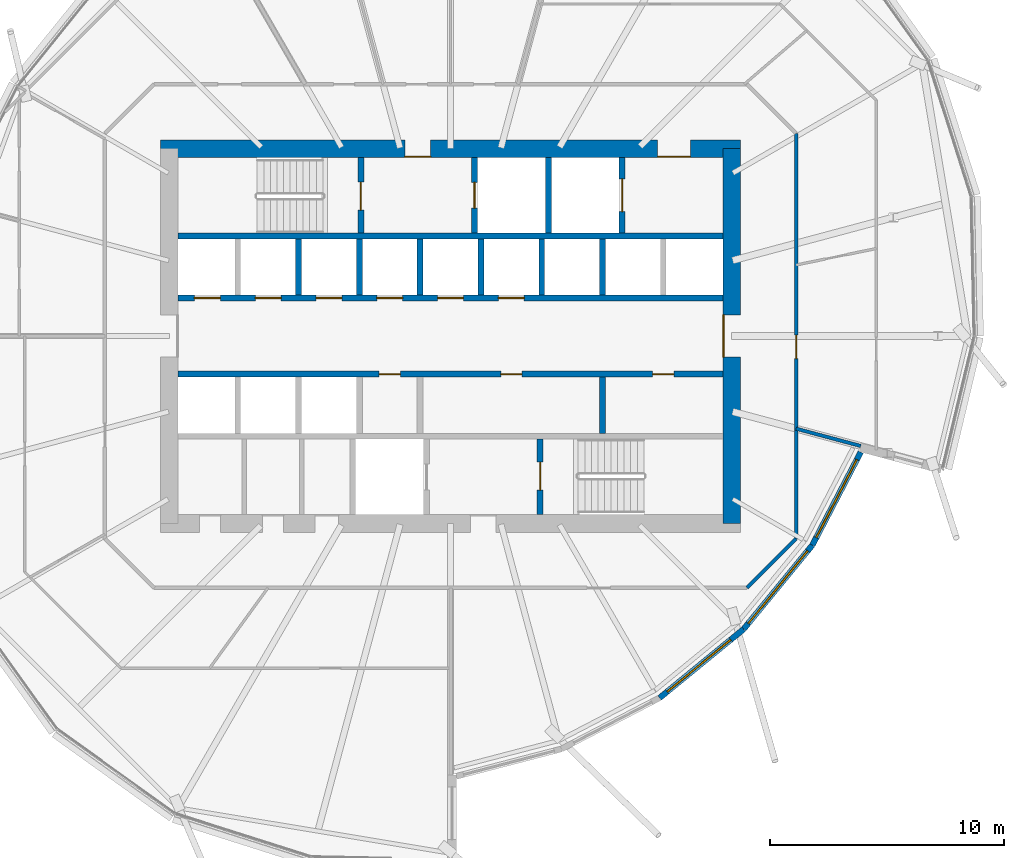
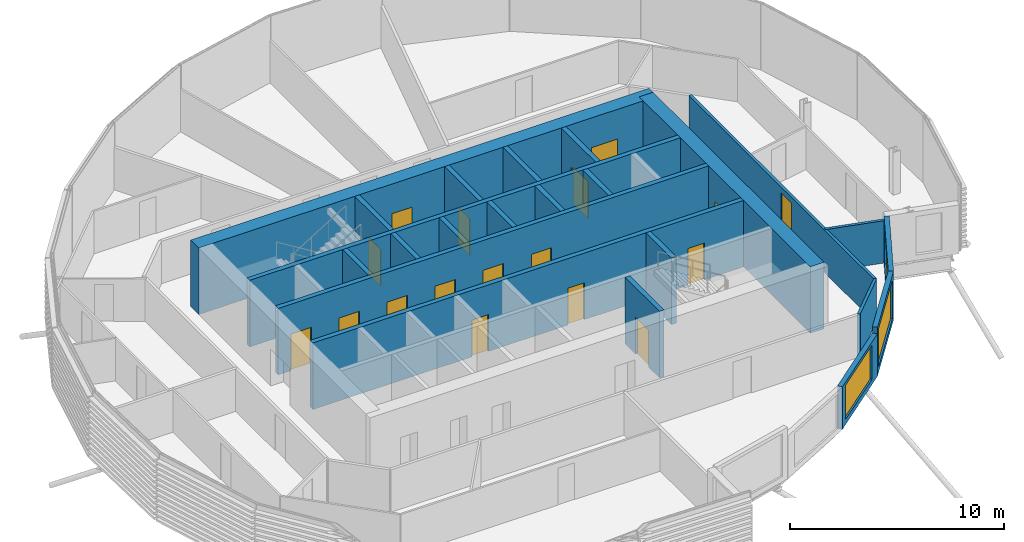
# One storey, part 25 of 40: 23 walls, 17 doors, 3 windows, 20 openings.
"""IFC4 building model written with IfcOpenShell, lengths in metres."""

import ifcopenshell
import ifcopenshell.guid

model = None  # the IFC model being written
_history = None  # IfcOwnerHistory: only IFC2X3 demands one
_inside = {}  # id of a spatial element -> (the spatial element, [elements in it])
_under = {}  # id of a project, library or spatial element -> (it, [spatial elements below it])
_declared = {}  # id of a project -> (the project, [libraries it declares])
_typed = {}  # id of a type object -> (the type object, [elements of that type])
_made_of = {}  # id of a material, layer set ... -> (it, [elements and type objects made of it])


def new_model(schema):
    """Start an empty IFC model of exactly this schema.

    Asked for "IFC4X3", IfcOpenShell would pick the latest addendum, in which some entities
    have other attributes; the version numbers below select the first issue.
    IFC2X3 requires an IfcOwnerHistory on every rooted entity: one is made here for all.
    """
    global model, _history
    if schema == "IFC4X3":
        model = ifcopenshell.file(schema_version=(4, 3, 0, 0))
    else:
        model = ifcopenshell.file(schema=schema)
    _inside.clear()
    _under.clear()
    _declared.clear()
    _typed.clear()
    _made_of.clear()
    _history = None
    if model.schema == "IFC2X3":
        org = make("IfcOrganization", Name="unknown")
        user = make(
            "IfcPersonAndOrganization",
            ThePerson=make("IfcPerson", FamilyName="unknown"),
            TheOrganization=org,
        )
        app = make(
            "IfcApplication",
            ApplicationDeveloper=org,
            Version="unknown",
            ApplicationFullName="unknown",
            ApplicationIdentifier="unknown",
        )
        _history = make(
            "IfcOwnerHistory",
            OwningUser=user,
            OwningApplication=app,
            ChangeAction="ADDED",
            CreationDate=0,
        )
    return model


def make(cls, **values):
    """One entity of the class cls with the attributes given. An attribute that is None is left unset."""
    return model.create_entity(
        cls, **{name: value for name, value in values.items() if value is not None}
    )


def rooted(cls, **values):
    """An entity with a GlobalId (a new one), such as an element, a storey or a relation."""
    return make(cls, GlobalId=ifcopenshell.guid.new(), OwnerHistory=_history, **values)


def si_unit(unit_type, name, prefix=None):
    """IfcSIUnit, for example si_unit("LENGTHUNIT", "METRE", prefix="MILLI")."""
    return make("IfcSIUnit", UnitType=unit_type, Prefix=prefix, Name=name)


def assignment(units):
    """IfcUnitAssignment: the units of a project."""
    return None if units is None else make("IfcUnitAssignment", Units=units)


def point(xyz):
    """IfcCartesianPoint."""
    return None if xyz is None else make("IfcCartesianPoint", Coordinates=xyz)


def direction(xyz):
    """IfcDirection."""
    return None if xyz is None else make("IfcDirection", DirectionRatios=xyz)


def frame(location, z_axis=None, x_axis=None):
    """IfcAxis2Placement3D, a coordinate frame: its origin and axes. An axis left out is left unset."""
    return make(
        "IfcAxis2Placement3D",
        Location=point(location),
        Axis=direction(z_axis),
        RefDirection=direction(x_axis),
    )


def frame_2d(location, x_axis=None):
    """IfcAxis2Placement2D, a coordinate frame in the plane: its origin and x axis."""
    return make(
        "IfcAxis2Placement2D", Location=point(location), RefDirection=direction(x_axis)
    )


def origin():
    """The frame at (0, 0, 0) with its axes left unset."""
    return frame((0.0, 0.0, 0.0))


def place(relative_to, where):
    """IfcLocalPlacement: puts the frame where relative to a parent placement (None: the world)."""
    return make(
        "IfcLocalPlacement", PlacementRelTo=relative_to, RelativePlacement=where
    )


def context(
    kind, dimensions, precision=None, world=None, true_north=None, identifier=None
):
    """IfcGeometricRepresentationContext, for example the 3D "Model" context."""
    return make(
        "IfcGeometricRepresentationContext",
        ContextIdentifier=identifier,
        ContextType=kind,
        CoordinateSpaceDimension=dimensions,
        Precision=precision,
        WorldCoordinateSystem=world,
        TrueNorth=true_north,
    )


def subcontext(parent, identifier, kind, view, scale=None):
    """IfcGeometricRepresentationSubContext, for example "Body" below "Model"."""
    return make(
        "IfcGeometricRepresentationSubContext",
        ContextIdentifier=identifier,
        ContextType=kind,
        ParentContext=parent,
        TargetScale=scale,
        TargetView=view,
    )


def project(units=None, contexts=None):
    """IfcProject with its units and contexts."""
    return rooted(
        "IfcProject",
        Name="project",
        RepresentationContexts=contexts,
        UnitsInContext=assignment(units),
    )


def spatial(cls, under=None, at=None, **own):
    """A site, building, storey or space (cls), placed at a placement, below another one or the project."""
    s = rooted(cls, ObjectPlacement=at, **own)
    if under is not None:
        _under.setdefault(under.id(), (under, []))[1].append(s)
    return s


def profile(cls, at=None, kind="AREA", **sizes):
    """A parametric profile (cls). Its sizes go by their IFC names, for example OverallWidth=200.0."""
    return make(cls, ProfileType=kind, Position=at, **sizes)


def rectangle(**sizes):
    """IfcRectangleProfileDef."""
    return profile("IfcRectangleProfileDef", **sizes)


def extrude(swept, where, along, depth):
    """IfcExtrudedAreaSolid: the profile swept, set in the frame where, extruded along a direction by depth."""
    return make(
        "IfcExtrudedAreaSolid",
        SweptArea=swept,
        Position=where,
        ExtrudedDirection=direction(along),
        Depth=depth,
    )


def shape(context_of_items, identifier, shape_type, items):
    """IfcShapeRepresentation: the items that make up one representation, for example the "Body"."""
    return make(
        "IfcShapeRepresentation",
        ContextOfItems=context_of_items,
        RepresentationIdentifier=identifier,
        RepresentationType=shape_type,
        Items=items,
    )


def material(Name=None, Category=None):
    """IfcMaterial."""
    return make("IfcMaterial", Name=Name, Category=Category)


def layer(
    of_material, thickness, ventilated=None, Name=None, Category=None, Priority=None
):
    """IfcMaterialLayer: one layer of a wall or slab, of a material (None: an air gap)."""
    return make(
        "IfcMaterialLayer",
        Material=of_material,
        LayerThickness=thickness,
        IsVentilated=ventilated,
        Name=Name,
        Category=Category,
        Priority=Priority,
    )


def layer_set(layers, Name=None):
    """IfcMaterialLayerSet."""
    return make("IfcMaterialLayerSet", MaterialLayers=layers, LayerSetName=Name)


def made_of(thing, what):
    """Note that an element or type object is made of a material, layer set ...; save() writes the relation."""
    if what is not None:
        _made_of.setdefault(what.id(), (what, []))[1].append(thing)
    return thing


def type_object(cls, material=None, **own):
    """A type object (cls), such as IfcWallType, which elements share."""
    return made_of(rooted(cls, **own), material)


def element(
    cls,
    number,
    at=None,
    inside=None,
    cuts=None,
    type_object=None,
    material=None,
    context=None,
    identifier="Body",
    shape_type=None,
    held_by="IfcProductDefinitionShape",
    body=None,
    shapes=None,
    **own,
):
    """One element of the class cls, such as IfcWall. Its Tag is "e" and its number.

    at: its placement. inside: the storey or other place that contains it. cuts: it is an
    opening in that element (IfcRelVoidsElement). A single representation is given by context,
    identifier, shape_type and body (its items); several are given by shapes. held_by: the class
    of the entity that holds the representations. save() writes the other relations.
    """
    e = rooted(cls, Tag="e%d" % number, ObjectPlacement=at, **own)
    if body is not None:
        shapes = [shape(context, identifier, shape_type, body)]
    if shapes is not None:
        e.Representation = make(held_by, Representations=shapes)
    if inside is not None:
        _inside.setdefault(inside.id(), (inside, []))[1].append(e)
    if cuts is not None:
        rooted(
            "IfcRelVoidsElement", RelatingBuildingElement=cuts, RelatedOpeningElement=e
        )
    if type_object is not None:
        _typed.setdefault(type_object.id(), (type_object, []))[1].append(e)
    return made_of(e, material)


def fill(opening, filler):
    """IfcRelFillsElement: the door or window that sits in an opening."""
    return rooted(
        "IfcRelFillsElement",
        RelatingOpeningElement=opening,
        RelatedBuildingElement=filler,
    )


def aggregate(whole, parts):
    """IfcRelAggregates: a whole, such as a stair, and the parts it consists of."""
    return rooted("IfcRelAggregates", RelatingObject=whole, RelatedObjects=parts)


def save(model, path):
    """Write the relations noted so far, then the file.

    IfcRelAggregates (storeys below a building ...), IfcRelContainedInSpatialStructure (elements
    in a storey), IfcRelDefinesByType, IfcRelAssociatesMaterial and IfcRelDeclares: one each for
    every whole, place, type object, material and project.
    """
    for whole, parts in _under.values():
        aggregate(whole, parts)
    for where, things in _inside.values():
        rooted(
            "IfcRelContainedInSpatialStructure",
            RelatedElements=things,
            RelatingStructure=where,
        )
    for kind, things in _typed.values():
        rooted("IfcRelDefinesByType", RelatedObjects=things, RelatingType=kind)
    for what, things in _made_of.values():
        rooted("IfcRelAssociatesMaterial", RelatedObjects=things, RelatingMaterial=what)
    for by, libraries in _declared.values():
        rooted("IfcRelDeclares", RelatingContext=by, RelatedDefinitions=libraries)
    model.write(path)


model = new_model("IFC4")

# Units and contexts
model_context = context("Model", 3, precision=1e-05, world=origin(), true_north=direction((0.0, 1.0)))
body_context = subcontext(model_context, "Body", "Model", "MODEL_VIEW")
ifc_project = project(units=[si_unit("LENGTHUNIT", "METRE"), si_unit("AREAUNIT", "SQUARE_METRE"), si_unit("VOLUMEUNIT", "CUBIC_METRE"), si_unit("PLANEANGLEUNIT", "RADIAN"), si_unit("MASSUNIT", "GRAM", prefix="KILO")], contexts=[model_context])

# Site, building, storey
site_placement = place(None, origin())
site = spatial("IfcSite", under=ifc_project, at=site_placement, CompositionType="ELEMENT")
building_placement = place(site_placement, origin())
building = spatial("IfcBuilding", under=site, at=building_placement, Name="Rimbun Link Towers", CompositionType="ELEMENT")
storey_placement = place(building_placement, frame((0.0, 0.0, 89.199951171875)))
storey = spatial("IfcBuildingStorey", under=building, at=storey_placement, Name="L21", CompositionType="ELEMENT", Elevation=89.199951171875)

# Wall, opening, window
ifc_material_1 = material(Name="Dark enamelled glass spandrel on insulated aluminium backpan", Category="aluminium")
ifc_layer_1 = layer(ifc_material_1, 0.25)
ifc_layer_set_1 = layer_set([ifc_layer_1], Name="CS dark enamelled spandrel wall 250")
wall_type_1 = type_object("IfcWallType", Name="CS dark enamelled spandrel wall 250", PredefinedType="STANDARD", material=ifc_layer_set_1)
wall_1_placement = place(storey_placement, frame((44.259765625, -12.509765625, 0.0), z_axis=(0.0, 0.0, 1.0), x_axis=(-0.773910332823, -0.633295189268, 0.0)))
wall_1 = element("IfcWall", 1, at=wall_1_placement, inside=storey, type_object=wall_type_1, Name="Crease spandrel wall", PredefinedType="STANDARD", context=body_context, shape_type="SweptSolid", body=[
    extrude(rectangle(XDim=4.63232421875, YDim=0.25, at=frame_2d((2.316162109375, 0.0))), origin(), (0.0, 0.0, 1.0), 2.429931640625),
])
opening_1_placement = place(wall_1_placement, frame((0.712890625, 0.0, 0.300048828125)))
opening_1 = element("IfcOpeningElement", 2, at=opening_1_placement, cuts=wall_1, Name="Opening WR35H195", PredefinedType="OPENING", context=body_context, shape_type="SweptSolid", body=[
    extrude(rectangle(XDim=3.5, YDim=1.949951171875, at=frame_2d((1.75, 0.97509765625))), frame((0.0, 0.135009765625, 0.0), z_axis=(0.0, -1.0, 0.0), x_axis=(1.0, 0.0, 0.0)), (0.0, 0.0, 1.0), 0.27001953125),
])
ifc_material_2 = material(Name="Aluminium framed fixed window, dark tinted low-e glass", Category="aluminium")
window_type_1 = type_object("IfcWindowType", Name="WR ribbon window 3500X1950", PartitioningType="SINGLE_PANEL", PredefinedType="WINDOW", material=ifc_material_2)
window_1_placement = place(opening_1_placement, origin())
window_1 = element("IfcWindow", 3, at=window_1_placement, inside=storey, type_object=window_type_1, Name="Crease ribbon window", OverallHeight=1.949951171875, OverallWidth=3.5, PartitioningType="SINGLE_PANEL", PredefinedType="WINDOW", context=body_context, shape_type="SweptSolid", body=[
    extrude(rectangle(XDim=3.5, YDim=1.949951171875, at=frame_2d((1.75, 0.97509765625))), frame((0.0, 0.030029296875, 0.0), z_axis=(0.0, -1.0, 0.0), x_axis=(1.0, 0.0, 0.0)), (0.0, 0.0, 1.0), 0.06005859375),
])
fill(opening_1, window_1)

wall_2_placement = place(storey_placement, frame((47.193359375, -8.9248046875, 0.0), z_axis=(0.0, 0.0, 1.0), x_axis=(-0.633295189268, -0.773910332823, 0.0)))
wall_2 = element("IfcWall", 4, at=wall_2_placement, inside=storey, type_object=wall_type_1, Name="Crease spandrel wall", PredefinedType="STANDARD", context=body_context, shape_type="SweptSolid", body=[
    extrude(rectangle(XDim=4.63232421875, YDim=0.25, at=frame_2d((2.316162109375, 0.0))), origin(), (0.0, 0.0, 1.0), 2.78955078125),
])
opening_2_placement = place(wall_2_placement, frame((0.316162109375, 0.0, 0.300048828125)))
opening_2 = element("IfcOpeningElement", 5, at=opening_2_placement, cuts=wall_2, Name="Opening WR40H220", PredefinedType="OPENING", context=body_context, shape_type="SweptSolid", body=[
    extrude(rectangle(XDim=4.0, YDim=2.199951171875, at=frame_2d((2.0, 1.10009765625))), frame((0.0, 0.135009765625, 0.0), z_axis=(0.0, -1.0, 0.0), x_axis=(1.0, 0.0, 0.0)), (0.0, 0.0, 1.0), 0.27001953125),
])
ifc_material_3 = material(Name="Aluminium framed fixed window, dark tinted low-e glass", Category="aluminium")
window_type_2 = type_object("IfcWindowType", Name="WR ribbon window 4000X2200", PartitioningType="SINGLE_PANEL", PredefinedType="WINDOW", material=ifc_material_3)
window_2_placement = place(opening_2_placement, origin())
window_2 = element("IfcWindow", 6, at=window_2_placement, inside=storey, type_object=window_type_2, Name="Crease ribbon window", OverallHeight=2.199951171875, OverallWidth=4.0, PartitioningType="SINGLE_PANEL", PredefinedType="WINDOW", context=body_context, shape_type="SweptSolid", body=[
    extrude(rectangle(XDim=4.0, YDim=2.199951171875, at=frame_2d((2.0, 1.10009765625))), frame((0.0, 0.030029296875, 0.0), z_axis=(0.0, -1.0, 0.0), x_axis=(1.0, 0.0, 0.0)), (0.0, 0.0, 1.0), 0.06005859375),
])
fill(opening_2, window_2)

wall_3_placement = place(storey_placement, frame((49.26171875, -4.951171875, 0.0), z_axis=(0.0, 0.0, 1.0), x_axis=(-0.461716482869, -0.887027558448, 0.0)))
wall_3 = element("IfcWall", 7, at=wall_3_placement, inside=storey, type_object=wall_type_1, Name="Crease spandrel wall", PredefinedType="STANDARD", context=body_context, shape_type="SweptSolid", body=[
    extrude(rectangle(XDim=4.479736328125, YDim=0.25, at=frame_2d((2.23974609375, 0.0))), origin(), (0.0, 0.0, 1.0), 2.78955078125),
])
opening_3_placement = place(wall_3_placement, frame((0.364990234375, 0.0, 0.300048828125)))
opening_3 = element("IfcOpeningElement", 8, at=opening_3_placement, cuts=wall_3, Name="Opening WR38H220", PredefinedType="OPENING", context=body_context, shape_type="SweptSolid", body=[
    extrude(rectangle(XDim=3.75, YDim=2.199951171875, at=frame_2d((1.875, 1.10009765625))), frame((0.0, 0.135009765625, 0.0), z_axis=(0.0, -1.0, 0.0), x_axis=(1.0, 0.0, 0.0)), (0.0, 0.0, 1.0), 0.27001953125),
])
ifc_material_4 = material(Name="Aluminium framed fixed window, dark tinted low-e glass", Category="aluminium")
window_type_3 = type_object("IfcWindowType", Name="WR ribbon window 3750X2200", PartitioningType="SINGLE_PANEL", PredefinedType="WINDOW", material=ifc_material_4)
window_3_placement = place(opening_3_placement, origin())
window_3 = element("IfcWindow", 9, at=window_3_placement, inside=storey, type_object=window_type_3, Name="Crease ribbon window", OverallHeight=2.199951171875, OverallWidth=3.75, PartitioningType="SINGLE_PANEL", PredefinedType="WINDOW", context=body_context, shape_type="SweptSolid", body=[
    extrude(rectangle(XDim=3.75, YDim=2.199951171875, at=frame_2d((1.875, 1.10009765625))), frame((0.0, 0.030029296875, 0.0), z_axis=(0.0, -1.0, 0.0), x_axis=(1.0, 0.0, 0.0)), (0.0, 0.0, 1.0), 0.06005859375),
])
fill(opening_3, window_3)

# Wall, openings, doors
ifc_material_5 = material(Name="Concrete C60/75", Category="concrete")
ifc_layer_2 = layer(ifc_material_5, 0.75)
ifc_layer_set_2 = layer_set([ifc_layer_2], Name="Core shear wall 750")
wall_type_2 = type_object("IfcWallType", Name="Core shear wall 750", PredefinedType="SHEAR", material=ifc_layer_set_2)
wall_4_placement = place(storey_placement, frame((19.375, 8.0, 0.0), z_axis=(0.0, 0.0, 1.0), x_axis=(1.0, 0.0, 0.0)))
wall_4 = element("IfcWall", 10, at=wall_4_placement, inside=storey, type_object=wall_type_2, Name="L21 T2 core wall N", PredefinedType="SHEAR", context=body_context, shape_type="SweptSolid", body=[
    extrude(rectangle(XDim=24.75, YDim=0.75, at=frame_2d((12.375, 0.0))), origin(), (0.0, 0.0, 1.0), 3.800048828125),
])
opening_4_placement = place(wall_4_placement, frame((10.425048828125, 0.0, 0.0)))
opening_4 = element("IfcOpeningElement", 11, at=opening_4_placement, cuts=wall_4, Name="Opening C2DCF01N", PredefinedType="OPENING", context=body_context, shape_type="SweptSolid", body=[
    extrude(rectangle(XDim=1.10009765625, YDim=2.10009765625, at=frame_2d((0.550048828125, 1.050048828125))), frame((0.0, 0.385009765625, 0.0), z_axis=(0.0, -1.0, 0.0), x_axis=(1.0, 0.0, 0.0)), (0.0, 0.0, 1.0), 0.77001953125),
])
opening_5_placement = place(wall_4_placement, frame((21.21240234375, 0.0, 0.0)))
opening_5 = element("IfcOpeningElement", 12, at=opening_5_placement, cuts=wall_4, Name="Opening C2DSL02N", PredefinedType="OPENING", context=body_context, shape_type="SweptSolid", body=[
    extrude(rectangle(XDim=1.39990234375, YDim=2.10009765625, at=frame_2d((0.699951171875, 1.050048828125))), frame((0.0, 0.385009765625, 0.0), z_axis=(0.0, -1.0, 0.0), x_axis=(1.0, 0.0, 0.0)), (0.0, 0.0, 1.0), 0.77001953125),
])
ifc_material_6 = material(Name="Steel fire door set", Category="steel")
door_type_1 = type_object("IfcDoorType", Name="Core fire door single", OperationType="SINGLE_SWING_LEFT", PredefinedType="DOOR", material=ifc_material_6)
door_1_placement = place(opening_4_placement, origin())
door_1 = element("IfcDoor", 13, at=door_1_placement, inside=storey, type_object=door_type_1, Name="L21 T2 firefighting lobby n door", OperationType="SINGLE_SWING_RIGHT", OverallHeight=2.10009765625, OverallWidth=1.10009765625, PredefinedType="DOOR", context=body_context, shape_type="SweptSolid", body=[
    extrude(rectangle(XDim=1.10009765625, YDim=2.10009765625, at=frame_2d((0.550048828125, 1.050048828125))), frame((0.0, -0.3251953125, 0.0), z_axis=(0.0, -1.0, 0.0), x_axis=(1.0, 0.0, 0.0)), (0.0, 0.0, 1.0), 0.050048828125),
])
fill(opening_4, door_1)
ifc_material_7 = material(Name="Steel fire door set", Category="steel")
door_type_2 = type_object("IfcDoorType", Name="Service lobby door double", OperationType="DOUBLE_DOOR_SINGLE_SWING", PredefinedType="DOOR", material=ifc_material_7)
door_2_placement = place(opening_5_placement, origin())
door_2 = element("IfcDoor", 14, at=door_2_placement, inside=storey, type_object=door_type_2, Name="L21 T2 service lobby door", OperationType="DOUBLE_DOOR_SINGLE_SWING", OverallHeight=2.10009765625, OverallWidth=1.39990234375, PredefinedType="DOOR", context=body_context, shape_type="SweptSolid", body=[
    extrude(rectangle(XDim=1.39990234375, YDim=2.10009765625, at=frame_2d((0.699951171875, 1.050048828125))), frame((0.0, -0.3251953125, 0.0), z_axis=(0.0, -1.0, 0.0), x_axis=(1.0, 0.0, 0.0)), (0.0, 0.0, 1.0), 0.050048828125),
])
fill(opening_5, door_2)

# Wall, opening, door
wall_5_placement = place(storey_placement, frame((43.75, -8.0, 0.0), z_axis=(0.0, 0.0, 1.0), x_axis=(0.0, 1.0, 0.0)))
wall_5 = element("IfcWall", 15, at=wall_5_placement, inside=storey, type_object=wall_type_2, Name="L21 T2 core wall E", PredefinedType="SHEAR", context=body_context, shape_type="SweptSolid", body=[
    extrude(rectangle(XDim=16.0, YDim=0.75, at=frame_2d((8.0, 0.0))), origin(), (0.0, 0.0, 1.0), 3.800048828125),
])
opening_6_placement = place(wall_5_placement, frame((7.10009765625, 0.0, 0.0)))
opening_6 = element("IfcOpeningElement", 16, at=opening_6_placement, cuts=wall_5, Name="Opening C2DCL01E", PredefinedType="OPENING", context=body_context, shape_type="SweptSolid", body=[
    extrude(rectangle(XDim=1.800048828125, YDim=2.10009765625, at=frame_2d((0.89990234375, 1.050048828125))), frame((0.0, 0.385009765625, 0.0), z_axis=(0.0, -1.0, 0.0), x_axis=(1.0, 0.0, 0.0)), (0.0, 0.0, 1.0), 0.77001953125),
])
ifc_material_8 = material(Name="Steel fire door set", Category="steel")
door_type_3 = type_object("IfcDoorType", Name="Core lobby door double", OperationType="DOUBLE_DOOR_SINGLE_SWING", PredefinedType="DOOR", material=ifc_material_8)
door_3_placement = place(opening_6_placement, origin())
door_3 = element("IfcDoor", 17, at=door_3_placement, inside=storey, type_object=door_type_3, Name="L21 T2 lift lobby door", OperationType="DOUBLE_DOOR_SINGLE_SWING", OverallHeight=2.10009765625, OverallWidth=1.800048828125, PredefinedType="DOOR", context=body_context, shape_type="SweptSolid", body=[
    extrude(rectangle(XDim=1.800048828125, YDim=2.10009765625, at=frame_2d((0.89990234375, 1.050048828125))), frame((0.0, 0.375, 0.0), z_axis=(0.0, -1.0, 0.0), x_axis=(1.0, 0.0, 0.0)), (0.0, 0.0, 1.0), 0.050048828125),
])
fill(opening_6, door_3)

ifc_material_9 = material(Name="Plasterboard on steel stud, mineral wool", Category="steel")
ifc_layer_3 = layer(ifc_material_9, 0.14990234375)
ifc_layer_set_3 = layer_set([ifc_layer_3], Name="Corridor wall EI 30 150 mm")
wall_type_3 = type_object("IfcWallType", Name="Corridor wall EI 30 150 mm", PredefinedType="PARTITIONING", material=ifc_layer_set_3)
wall_6_placement = place(storey_placement, frame((46.5, 8.651611328125, 0.0), z_axis=(0.0, 0.0, 1.0), x_axis=(0.0, -1.0, 0.0)))
wall_6 = element("IfcWall", 18, at=wall_6_placement, inside=storey, type_object=wall_type_3, Name="Corridor wall EI 30 150 mm", PredefinedType="PARTITIONING", context=body_context, shape_type="SweptSolid", body=[
    extrude(rectangle(XDim=17.30322265625, YDim=0.14990234375, at=frame_2d((8.651611328125, 0.0))), origin(), (0.0, 0.0, 1.0), 2.420166015625),
])
opening_7_placement = place(wall_6_placement, frame((8.611328125, 0.0, 0.0)))
opening_7 = element("IfcOpeningElement", 19, at=opening_7_placement, cuts=wall_6, Name="Opening D01", PredefinedType="OPENING", context=body_context, shape_type="SweptSolid", body=[
    extrude(rectangle(XDim=1.0, YDim=2.10009765625, at=frame_2d((0.5, 1.050048828125))), frame((0.0, 0.0849609375, 0.0), z_axis=(0.0, -1.0, 0.0), x_axis=(1.0, 0.0, 0.0)), (0.0, 0.0, 1.0), 0.169921875),
])
ifc_material_10 = material(Name="Fire-resisting timber door leaf", Category="wood")
door_type_4 = type_object("IfcDoorType", Name="Fire door FD30S 1000", OperationType="NOTDEFINED", PredefinedType="DOOR", material=ifc_material_10)
door_4_placement = place(opening_7_placement, origin())
door_4 = element("IfcDoor", 20, at=door_4_placement, inside=storey, type_object=door_type_4, Name="Fire door FD30S 1000 to Reception", OperationType="SINGLE_SWING_LEFT", OverallHeight=2.10009765625, OverallWidth=1.0, PredefinedType="DOOR", context=body_context, shape_type="SweptSolid", body=[
    extrude(rectangle(XDim=1.0, YDim=2.10009765625, at=frame_2d((0.5, 1.050048828125))), frame((0.0, 0.02490234375, 0.0), z_axis=(0.0, -1.0, 0.0), x_axis=(1.0, 0.0, 0.0)), (0.0, 0.0, 1.0), 0.050048828125),
])
fill(opening_7, door_4)

# Walls
wall_7_placement = place(storey_placement, frame((44.401611328125, -10.75, 0.0), z_axis=(0.0, 0.0, 1.0), x_axis=(0.707106781187, 0.707106781187, 0.0)))
element("IfcWall", 21, at=wall_7_placement, inside=storey, type_object=wall_type_3, Name="Corridor wall EI 30 150 mm", PredefinedType="PARTITIONING", context=body_context, shape_type="SweptSolid", body=[
    extrude(rectangle(XDim=2.967529296875, YDim=0.14990234375, at=frame_2d((1.48388671875, 0.0))), origin(), (0.0, 0.0, 1.0), 2.420166015625),
])
ifc_material_11 = material(Name="Concrete C60/75", Category="concrete")
ifc_layer_4 = layer(ifc_material_11, 0.25)
ifc_layer_set_4 = layer_set([ifc_layer_4], Name="Shaft wall 250")
wall_type_4 = type_object("IfcWallType", Name="Shaft wall 250", PredefinedType="SHEAR", material=ifc_layer_set_4)
wall_8_placement = place(storey_placement, frame((20.125, 4.27490234375, 0.0), z_axis=(0.0, 0.0, 1.0), x_axis=(1.0, 0.0, 0.0)))
element("IfcWall", 22, at=wall_8_placement, inside=storey, type_object=wall_type_4, Name="L21 T2 core wall BN", PredefinedType="SHEAR", context=body_context, shape_type="SweptSolid", body=[
    extrude(rectangle(XDim=23.25, YDim=0.25, at=frame_2d((11.625, 0.0))), origin(), (0.0, 0.0, 1.0), 3.800048828125),
])

# Wall, openings, doors
wall_9_placement = place(storey_placement, frame((20.125, 1.625, 0.0), z_axis=(0.0, 0.0, 1.0), x_axis=(1.0, 0.0, 0.0)))
wall_9 = element("IfcWall", 23, at=wall_9_placement, inside=storey, type_object=wall_type_4, Name="L21 T2 core wall FN", PredefinedType="SHEAR", context=body_context, shape_type="SweptSolid", body=[
    extrude(rectangle(XDim=23.25, YDim=0.25, at=frame_2d((11.625, 0.0))), origin(), (0.0, 0.0, 1.0), 3.800048828125),
])
opening_8_placement = place(wall_9_placement, frame((0.697265625, 0.0, 0.0)))
opening_8 = element("IfcOpeningElement", 24, at=opening_8_placement, cuts=wall_9, Name="Opening LD-T2-LR1", PredefinedType="OPENING", context=body_context, shape_type="SweptSolid", body=[
    extrude(rectangle(XDim=1.10009765625, YDim=2.10009765625, at=frame_2d((0.550048828125, 1.050048828125))), frame((0.0, 0.135009765625, 0.0), z_axis=(0.0, -1.0, 0.0), x_axis=(1.0, 0.0, 0.0)), (0.0, 0.0, 1.0), 0.27001953125),
])
opening_9_placement = place(wall_9_placement, frame((3.291748046875, 0.0, 0.0)))
opening_9 = element("IfcOpeningElement", 25, at=opening_9_placement, cuts=wall_9, Name="Opening LD-T2-LR2", PredefinedType="OPENING", context=body_context, shape_type="SweptSolid", body=[
    extrude(rectangle(XDim=1.10009765625, YDim=2.10009765625, at=frame_2d((0.550048828125, 1.050048828125))), frame((0.0, 0.135009765625, 0.0), z_axis=(0.0, -1.0, 0.0), x_axis=(1.0, 0.0, 0.0)), (0.0, 0.0, 1.0), 0.27001953125),
])
opening_10_placement = place(wall_9_placement, frame((5.885986328125, 0.0, 0.0)))
opening_10 = element("IfcOpeningElement", 26, at=opening_10_placement, cuts=wall_9, Name="Opening LD-T2-LR3", PredefinedType="OPENING", context=body_context, shape_type="SweptSolid", body=[
    extrude(rectangle(XDim=1.10009765625, YDim=2.10009765625, at=frame_2d((0.550048828125, 1.050048828125))), frame((0.0, 0.135009765625, 0.0), z_axis=(0.0, -1.0, 0.0), x_axis=(1.0, 0.0, 0.0)), (0.0, 0.0, 1.0), 0.27001953125),
])
opening_11_placement = place(wall_9_placement, frame((8.480712890625, 0.0, 0.0)))
opening_11 = element("IfcOpeningElement", 27, at=opening_11_placement, cuts=wall_9, Name="Opening LD-T2-LR4", PredefinedType="OPENING", context=body_context, shape_type="SweptSolid", body=[
    extrude(rectangle(XDim=1.10009765625, YDim=2.10009765625, at=frame_2d((0.550048828125, 1.050048828125))), frame((0.0, 0.135009765625, 0.0), z_axis=(0.0, -1.0, 0.0), x_axis=(1.0, 0.0, 0.0)), (0.0, 0.0, 1.0), 0.27001953125),
])
opening_12_placement = place(wall_9_placement, frame((11.074951171875, 0.0, 0.0)))
opening_12 = element("IfcOpeningElement", 28, at=opening_12_placement, cuts=wall_9, Name="Opening LD-T2-LR5", PredefinedType="OPENING", context=body_context, shape_type="SweptSolid", body=[
    extrude(rectangle(XDim=1.10009765625, YDim=2.10009765625, at=frame_2d((0.550048828125, 1.050048828125))), frame((0.0, 0.135009765625, 0.0), z_axis=(0.0, -1.0, 0.0), x_axis=(1.0, 0.0, 0.0)), (0.0, 0.0, 1.0), 0.27001953125),
])
opening_13_placement = place(wall_9_placement, frame((13.66943359375, 0.0, 0.0)))
opening_13 = element("IfcOpeningElement", 29, at=opening_13_placement, cuts=wall_9, Name="Opening LD-T2-LR6", PredefinedType="OPENING", context=body_context, shape_type="SweptSolid", body=[
    extrude(rectangle(XDim=1.10009765625, YDim=2.10009765625, at=frame_2d((0.550048828125, 1.050048828125))), frame((0.0, 0.135009765625, 0.0), z_axis=(0.0, -1.0, 0.0), x_axis=(1.0, 0.0, 0.0)), (0.0, 0.0, 1.0), 0.27001953125),
])
ifc_material_12 = material(Name="Stainless steel grade 316", Category="steel")
door_type_5 = type_object("IfcDoorType", Name="Lift landing door", OperationType="DOUBLE_DOOR_SLIDING", PredefinedType="DOOR", material=ifc_material_12)
door_5_placement = place(opening_8_placement, origin())
door_5 = element("IfcDoor", 30, at=door_5_placement, inside=storey, type_object=door_type_5, Name="L21 T2 lift LR1 landing door", OperationType="DOUBLE_DOOR_SLIDING", OverallHeight=2.10009765625, OverallWidth=1.10009765625, PredefinedType="DOOR", context=body_context, shape_type="SweptSolid", body=[
    extrude(rectangle(XDim=1.10009765625, YDim=2.10009765625, at=frame_2d((0.550048828125, 1.050048828125))), frame((0.0, 0.02490234375, 0.0), z_axis=(0.0, -1.0, 0.0), x_axis=(1.0, 0.0, 0.0)), (0.0, 0.0, 1.0), 0.050048828125),
])
fill(opening_8, door_5)
door_6_placement = place(opening_9_placement, origin())
door_6 = element("IfcDoor", 31, at=door_6_placement, inside=storey, type_object=door_type_5, Name="L21 T2 lift LR2 landing door", OperationType="DOUBLE_DOOR_SLIDING", OverallHeight=2.10009765625, OverallWidth=1.10009765625, PredefinedType="DOOR", context=body_context, shape_type="SweptSolid", body=[
    extrude(rectangle(XDim=1.10009765625, YDim=2.10009765625, at=frame_2d((0.550048828125, 1.050048828125))), frame((0.0, 0.02490234375, 0.0), z_axis=(0.0, -1.0, 0.0), x_axis=(1.0, 0.0, 0.0)), (0.0, 0.0, 1.0), 0.050048828125),
])
fill(opening_9, door_6)
door_7_placement = place(opening_10_placement, origin())
door_7 = element("IfcDoor", 32, at=door_7_placement, inside=storey, type_object=door_type_5, Name="L21 T2 lift LR3 landing door", OperationType="DOUBLE_DOOR_SLIDING", OverallHeight=2.10009765625, OverallWidth=1.10009765625, PredefinedType="DOOR", context=body_context, shape_type="SweptSolid", body=[
    extrude(rectangle(XDim=1.10009765625, YDim=2.10009765625, at=frame_2d((0.550048828125, 1.050048828125))), frame((0.0, 0.02490234375, 0.0), z_axis=(0.0, -1.0, 0.0), x_axis=(1.0, 0.0, 0.0)), (0.0, 0.0, 1.0), 0.050048828125),
])
fill(opening_10, door_7)
door_8_placement = place(opening_11_placement, origin())
door_8 = element("IfcDoor", 33, at=door_8_placement, inside=storey, type_object=door_type_5, Name="L21 T2 lift LR4 landing door", OperationType="DOUBLE_DOOR_SLIDING", OverallHeight=2.10009765625, OverallWidth=1.10009765625, PredefinedType="DOOR", context=body_context, shape_type="SweptSolid", body=[
    extrude(rectangle(XDim=1.10009765625, YDim=2.10009765625, at=frame_2d((0.550048828125, 1.050048828125))), frame((0.0, 0.02490234375, 0.0), z_axis=(0.0, -1.0, 0.0), x_axis=(1.0, 0.0, 0.0)), (0.0, 0.0, 1.0), 0.050048828125),
])
fill(opening_11, door_8)
door_9_placement = place(opening_12_placement, origin())
door_9 = element("IfcDoor", 34, at=door_9_placement, inside=storey, type_object=door_type_5, Name="L21 T2 lift LR5 landing door", OperationType="DOUBLE_DOOR_SLIDING", OverallHeight=2.10009765625, OverallWidth=1.10009765625, PredefinedType="DOOR", context=body_context, shape_type="SweptSolid", body=[
    extrude(rectangle(XDim=1.10009765625, YDim=2.10009765625, at=frame_2d((0.550048828125, 1.050048828125))), frame((0.0, 0.02490234375, 0.0), z_axis=(0.0, -1.0, 0.0), x_axis=(1.0, 0.0, 0.0)), (0.0, 0.0, 1.0), 0.050048828125),
])
fill(opening_12, door_9)
door_10_placement = place(opening_13_placement, origin())
door_10 = element("IfcDoor", 35, at=door_10_placement, inside=storey, type_object=door_type_5, Name="L21 T2 lift LR6 landing door", OperationType="DOUBLE_DOOR_SLIDING", OverallHeight=2.10009765625, OverallWidth=1.10009765625, PredefinedType="DOOR", context=body_context, shape_type="SweptSolid", body=[
    extrude(rectangle(XDim=1.10009765625, YDim=2.10009765625, at=frame_2d((0.550048828125, 1.050048828125))), frame((0.0, 0.02490234375, 0.0), z_axis=(0.0, -1.0, 0.0), x_axis=(1.0, 0.0, 0.0)), (0.0, 0.0, 1.0), 0.050048828125),
])
fill(opening_13, door_10)

wall_10_placement = place(storey_placement, frame((20.125, -1.625, 0.0), z_axis=(0.0, 0.0, 1.0), x_axis=(1.0, 0.0, 0.0)))
wall_10 = element("IfcWall", 36, at=wall_10_placement, inside=storey, type_object=wall_type_4, Name="L21 T2 core wall FS", PredefinedType="SHEAR", context=body_context, shape_type="SweptSolid", body=[
    extrude(rectangle(XDim=23.25, YDim=0.25, at=frame_2d((11.625, 0.0))), origin(), (0.0, 0.0, 1.0), 3.800048828125),
])
opening_14_placement = place(wall_10_placement, frame((8.58056640625, 0.0, 0.0)))
opening_14 = element("IfcOpeningElement", 37, at=opening_14_placement, cuts=wall_10, Name="Opening C2DRS01FS", PredefinedType="OPENING", context=body_context, shape_type="SweptSolid", body=[
    extrude(rectangle(XDim=0.89990234375, YDim=2.10009765625, at=frame_2d((0.449951171875, 1.050048828125))), frame((0.0, 0.135009765625, 0.0), z_axis=(0.0, -1.0, 0.0), x_axis=(1.0, 0.0, 0.0)), (0.0, 0.0, 1.0), 0.27001953125),
])
opening_15_placement = place(wall_10_placement, frame((13.769287109375, 0.0, 0.0)))
opening_15 = element("IfcOpeningElement", 38, at=opening_15_placement, cuts=wall_10, Name="Opening C2DRS02FS", PredefinedType="OPENING", context=body_context, shape_type="SweptSolid", body=[
    extrude(rectangle(XDim=0.89990234375, YDim=2.10009765625, at=frame_2d((0.449951171875, 1.050048828125))), frame((0.0, 0.135009765625, 0.0), z_axis=(0.0, -1.0, 0.0), x_axis=(1.0, 0.0, 0.0)), (0.0, 0.0, 1.0), 0.27001953125),
])
opening_16_placement = place(wall_10_placement, frame((20.255615234375, 0.0, 0.0)))
opening_16 = element("IfcOpeningElement", 39, at=opening_16_placement, cuts=wall_10, Name="Opening C2DRS03FS", PredefinedType="OPENING", context=body_context, shape_type="SweptSolid", body=[
    extrude(rectangle(XDim=0.89990234375, YDim=2.10009765625, at=frame_2d((0.449951171875, 1.050048828125))), frame((0.0, 0.135009765625, 0.0), z_axis=(0.0, -1.0, 0.0), x_axis=(1.0, 0.0, 0.0)), (0.0, 0.0, 1.0), 0.27001953125),
])
ifc_material_13 = material(Name="Steel fire door set", Category="steel")
door_type_6 = type_object("IfcDoorType", Name="Core riser door", OperationType="SINGLE_SWING_LEFT", PredefinedType="DOOR", material=ifc_material_13)
door_11_placement = place(opening_14_placement, origin())
door_11 = element("IfcDoor", 40, at=door_11_placement, inside=storey, type_object=door_type_6, Name="L21 T2 stationery store door", OperationType="SINGLE_SWING_LEFT", OverallHeight=2.10009765625, OverallWidth=0.89990234375, PredefinedType="DOOR", context=body_context, shape_type="SweptSolid", body=[
    extrude(rectangle(XDim=0.89990234375, YDim=2.10009765625, at=frame_2d((0.449951171875, 1.050048828125))), frame((0.0, 0.02490234375, 0.0), z_axis=(0.0, -1.0, 0.0), x_axis=(1.0, 0.0, 0.0)), (0.0, 0.0, 1.0), 0.050048828125),
])
fill(opening_14, door_11)
door_12_placement = place(opening_15_placement, origin())
door_12 = element("IfcDoor", 41, at=door_12_placement, inside=storey, type_object=door_type_6, Name="L21 T2 records store door", OperationType="SINGLE_SWING_RIGHT", OverallHeight=2.10009765625, OverallWidth=0.89990234375, PredefinedType="DOOR", context=body_context, shape_type="SweptSolid", body=[
    extrude(rectangle(XDim=0.89990234375, YDim=2.10009765625, at=frame_2d((0.449951171875, 1.050048828125))), frame((0.0, 0.02490234375, 0.0), z_axis=(0.0, -1.0, 0.0), x_axis=(1.0, 0.0, 0.0)), (0.0, 0.0, 1.0), 0.050048828125),
])
fill(opening_15, door_12)
door_13_placement = place(opening_16_placement, origin())
door_13 = element("IfcDoor", 42, at=door_13_placement, inside=storey, type_object=door_type_6, Name="L21 T2 print room door", OperationType="SINGLE_SWING_LEFT", OverallHeight=2.10009765625, OverallWidth=0.89990234375, PredefinedType="DOOR", context=body_context, shape_type="SweptSolid", body=[
    extrude(rectangle(XDim=0.89990234375, YDim=2.10009765625, at=frame_2d((0.449951171875, 1.050048828125))), frame((0.0, 0.02490234375, 0.0), z_axis=(0.0, -1.0, 0.0), x_axis=(1.0, 0.0, 0.0)), (0.0, 0.0, 1.0), 0.050048828125),
])
fill(opening_16, door_13)

# Walls
for number, where, z_axis, x_axis, name in (
    (43, (25.263916015625, 1.75, 0.0), (0.0, 0.0, 1.0), (0.0, 1.0, 0.0), "L21 T2 core wall DN1"),
    (44, (27.8583984375, 1.75, 0.0), (0.0, 0.0, 1.0), (0.0, 1.0, 0.0), "L21 T2 core wall DN2"),
    (45, (30.452880859375, 1.75, 0.0), (0.0, 0.0, 1.0), (0.0, 1.0, 0.0), "L21 T2 core wall DN3"),
    (46, (33.047119140625, 1.75, 0.0), (0.0, 0.0, 1.0), (0.0, 1.0, 0.0), "L21 T2 core wall DN4"),
    (47, (35.6416015625, 1.75, 0.0), (0.0, 0.0, 1.0), (0.0, 1.0, 0.0), "L21 T2 core wall DN5"),
    (48, (38.236083984375, 1.75, 0.0), (0.0, 0.0, 1.0), (0.0, 1.0, 0.0), "L21 T2 core wall DN6"),
    (49, (38.236083984375, -4.14990234375, 0.0), (0.0, 0.0, 1.0), (0.0, 1.0, 0.0), "L21 T2 core wall DS6"),
):
    element("IfcWall", number, at=place(storey_placement, frame(where, z_axis=z_axis, x_axis=x_axis)), inside=storey, type_object=wall_type_4, Name=name, PredefinedType="SHEAR", context=body_context, shape_type="SweptSolid", body=[
        extrude(rectangle(XDim=2.39990234375, YDim=0.25, at=frame_2d((1.199951171875, 0.0))), origin(), (0.0, 0.0, 1.0), 3.800048828125),
    ])

# Wall, opening, door
wall_11_placement = place(storey_placement, frame((27.925048828125, 4.39990234375, 0.0), z_axis=(0.0, 0.0, 1.0), x_axis=(0.0, 1.0, 0.0)))
wall_11 = element("IfcWall", 50, at=wall_11_placement, inside=storey, type_object=wall_type_4, Name="L21 T2 core wall A1", PredefinedType="SHEAR", context=body_context, shape_type="SweptSolid", body=[
    extrude(rectangle(XDim=3.22509765625, YDim=0.25, at=frame_2d((1.612548828125, 0.0))), origin(), (0.0, 0.0, 1.0), 3.800048828125),
])
opening_17_placement = place(wall_11_placement, frame((0.97509765625, 0.0, 0.0)))
opening_17 = element("IfcOpeningElement", 51, at=opening_17_placement, cuts=wall_11, Name="Opening C2DST01A1", PredefinedType="OPENING", context=body_context, shape_type="SweptSolid", body=[
    extrude(rectangle(XDim=1.199951171875, YDim=2.10009765625, at=frame_2d((0.60009765625, 1.050048828125))), frame((0.0, 0.135009765625, 0.0), z_axis=(0.0, -1.0, 0.0), x_axis=(1.0, 0.0, 0.0)), (0.0, 0.0, 1.0), 0.27001953125),
])
ifc_material_14 = material(Name="Steel fire door set", Category="steel")
door_type_7 = type_object("IfcDoorType", Name="Stair door", OperationType="SINGLE_SWING_LEFT", PredefinedType="DOOR", material=ifc_material_14)
door_14_placement = place(opening_17_placement, origin())
door_14 = element("IfcDoor", 52, at=door_14_placement, inside=storey, type_object=door_type_7, Name="L21 T2 stair a door", OperationType="SINGLE_SWING_RIGHT", OverallHeight=2.10009765625, OverallWidth=1.199951171875, PredefinedType="DOOR", context=body_context, shape_type="SweptSolid", body=[
    extrude(rectangle(XDim=1.199951171875, YDim=2.10009765625, at=frame_2d((0.60009765625, 1.050048828125))), frame((0.0, 0.02490234375, 0.0), z_axis=(0.0, -1.0, 0.0), x_axis=(1.0, 0.0, 0.0)), (0.0, 0.0, 1.0), 0.050048828125),
])
fill(opening_17, door_14)

wall_12_placement = place(storey_placement, frame((32.77490234375, 4.39990234375, 0.0), z_axis=(0.0, 0.0, 1.0), x_axis=(0.0, 1.0, 0.0)))
wall_12 = element("IfcWall", 53, at=wall_12_placement, inside=storey, type_object=wall_type_4, Name="L21 T2 core wall A2", PredefinedType="SHEAR", context=body_context, shape_type="SweptSolid", body=[
    extrude(rectangle(XDim=3.22509765625, YDim=0.25, at=frame_2d((1.612548828125, 0.0))), origin(), (0.0, 0.0, 1.0), 3.800048828125),
])
opening_18_placement = place(wall_12_placement, frame((1.0625, 0.0, 0.0)))
opening_18 = element("IfcOpeningElement", 54, at=opening_18_placement, cuts=wall_12, Name="Opening LD-T2-FF1", PredefinedType="OPENING", context=body_context, shape_type="SweptSolid", body=[
    extrude(rectangle(XDim=1.10009765625, YDim=2.10009765625, at=frame_2d((0.550048828125, 1.050048828125))), frame((0.0, 0.135009765625, 0.0), z_axis=(0.0, -1.0, 0.0), x_axis=(1.0, 0.0, 0.0)), (0.0, 0.0, 1.0), 0.27001953125),
])
door_15_placement = place(opening_18_placement, origin())
door_15 = element("IfcDoor", 55, at=door_15_placement, inside=storey, type_object=door_type_5, Name="L21 T2 lift FF1 landing door", OperationType="DOUBLE_DOOR_SLIDING", OverallHeight=2.10009765625, OverallWidth=1.10009765625, PredefinedType="DOOR", context=body_context, shape_type="SweptSolid", body=[
    extrude(rectangle(XDim=1.10009765625, YDim=2.10009765625, at=frame_2d((0.550048828125, 1.050048828125))), frame((0.0, 0.02490234375, 0.0), z_axis=(0.0, -1.0, 0.0), x_axis=(1.0, 0.0, 0.0)), (0.0, 0.0, 1.0), 0.050048828125),
])
fill(opening_18, door_15)

# Wall
wall_13_placement = place(storey_placement, frame((35.925048828125, 4.39990234375, 0.0), z_axis=(0.0, 0.0, 1.0), x_axis=(0.0, 1.0, 0.0)))
element("IfcWall", 56, at=wall_13_placement, inside=storey, type_object=wall_type_4, Name="L21 T2 core wall A3", PredefinedType="SHEAR", context=body_context, shape_type="SweptSolid", body=[
    extrude(rectangle(XDim=3.22509765625, YDim=0.25, at=frame_2d((1.612548828125, 0.0))), origin(), (0.0, 0.0, 1.0), 3.800048828125),
])

# Wall, opening, door
wall_14_placement = place(storey_placement, frame((39.074951171875, 4.39990234375, 0.0), z_axis=(0.0, 0.0, 1.0), x_axis=(0.0, 1.0, 0.0)))
wall_14 = element("IfcWall", 57, at=wall_14_placement, inside=storey, type_object=wall_type_4, Name="L21 T2 core wall A4", PredefinedType="SHEAR", context=body_context, shape_type="SweptSolid", body=[
    extrude(rectangle(XDim=3.22509765625, YDim=0.25, at=frame_2d((1.612548828125, 0.0))), origin(), (0.0, 0.0, 1.0), 3.800048828125),
])
opening_19_placement = place(wall_14_placement, frame((0.91259765625, 0.0, 0.0)))
opening_19 = element("IfcOpeningElement", 58, at=opening_19_placement, cuts=wall_14, Name="Opening LD-T2-GL1", PredefinedType="OPENING", context=body_context, shape_type="SweptSolid", body=[
    extrude(rectangle(XDim=1.39990234375, YDim=2.10009765625, at=frame_2d((0.699951171875, 1.050048828125))), frame((0.0, 0.135009765625, 0.0), z_axis=(0.0, -1.0, 0.0), x_axis=(1.0, 0.0, 0.0)), (0.0, 0.0, 1.0), 0.27001953125),
])
ifc_material_15 = material(Name="Stainless steel grade 316", Category="steel")
door_type_8 = type_object("IfcDoorType", Name="Goods lift landing door", OperationType="DOUBLE_DOOR_SLIDING", PredefinedType="DOOR", material=ifc_material_15)
door_16_placement = place(opening_19_placement, origin())
door_16 = element("IfcDoor", 59, at=door_16_placement, inside=storey, type_object=door_type_8, Name="L21 T2 lift GL1 landing door", OperationType="DOUBLE_DOOR_SLIDING", OverallHeight=2.10009765625, OverallWidth=1.39990234375, PredefinedType="DOOR", context=body_context, shape_type="SweptSolid", body=[
    extrude(rectangle(XDim=1.39990234375, YDim=2.10009765625, at=frame_2d((0.699951171875, 1.050048828125))), frame((0.0, 0.02490234375, 0.0), z_axis=(0.0, -1.0, 0.0), x_axis=(1.0, 0.0, 0.0)), (0.0, 0.0, 1.0), 0.050048828125),
])
fill(opening_19, door_16)

wall_15_placement = place(storey_placement, frame((35.574951171875, -4.39990234375, 0.0), z_axis=(0.0, 0.0, 1.0), x_axis=(0.0, -1.0, 0.0)))
wall_15 = element("IfcWall", 60, at=wall_15_placement, inside=storey, type_object=wall_type_4, Name="L21 T2 core wall B1", PredefinedType="SHEAR", context=body_context, shape_type="SweptSolid", body=[
    extrude(rectangle(XDim=3.22509765625, YDim=0.25, at=frame_2d((1.612548828125, 0.0))), origin(), (0.0, 0.0, 1.0), 3.800048828125),
])
opening_20_placement = place(wall_15_placement, frame((0.97509765625, 0.0, 0.0)))
opening_20 = element("IfcOpeningElement", 61, at=opening_20_placement, cuts=wall_15, Name="Opening C2DST01B1", PredefinedType="OPENING", context=body_context, shape_type="SweptSolid", body=[
    extrude(rectangle(XDim=1.199951171875, YDim=2.10009765625, at=frame_2d((0.60009765625, 1.050048828125))), frame((0.0, 0.135009765625, 0.0), z_axis=(0.0, -1.0, 0.0), x_axis=(1.0, 0.0, 0.0)), (0.0, 0.0, 1.0), 0.27001953125),
])
door_17_placement = place(opening_20_placement, origin())
door_17 = element("IfcDoor", 62, at=door_17_placement, inside=storey, type_object=door_type_7, Name="L21 T2 stair b door", OperationType="SINGLE_SWING_LEFT", OverallHeight=2.10009765625, OverallWidth=1.199951171875, PredefinedType="DOOR", context=body_context, shape_type="SweptSolid", body=[
    extrude(rectangle(XDim=1.199951171875, YDim=2.10009765625, at=frame_2d((0.60009765625, 1.050048828125))), frame((0.0, 0.02490234375, 0.0), z_axis=(0.0, -1.0, 0.0), x_axis=(1.0, 0.0, 0.0)), (0.0, 0.0, 1.0), 0.050048828125),
])
fill(opening_20, door_17)

# Wall
ifc_material_16 = material(Name="Plasterboard on steel stud, mineral wool", Category="steel")
ifc_layer_5 = layer(ifc_material_16, 0.14990234375)
ifc_layer_set_5 = layer_set([ifc_layer_5], Name="Tenancy separation wall EI 60 150 mm")
wall_type_5 = type_object("IfcWallType", Name="Tenancy separation wall EI 60 150 mm", PredefinedType="PARTITIONING", material=ifc_layer_set_5)
wall_16_placement = place(storey_placement, frame((46.5, -3.952392578125, 0.0), z_axis=(0.0, 0.0, 1.0), x_axis=(0.9659289572, -0.2588073601, 0.0)))
element("IfcWall", 63, at=wall_16_placement, inside=storey, type_object=wall_type_5, Name="Tenancy separation wall EI 60 150 mm", PredefinedType="PARTITIONING", context=body_context, shape_type="SweptSolid", body=[
    extrude(rectangle(XDim=2.853515625, YDim=0.14990234375, at=frame_2d((1.4267578125, 0.0))), origin(), (0.0, 0.0, 1.0), 2.420166015625),
])

save(model, "model.ifc")
